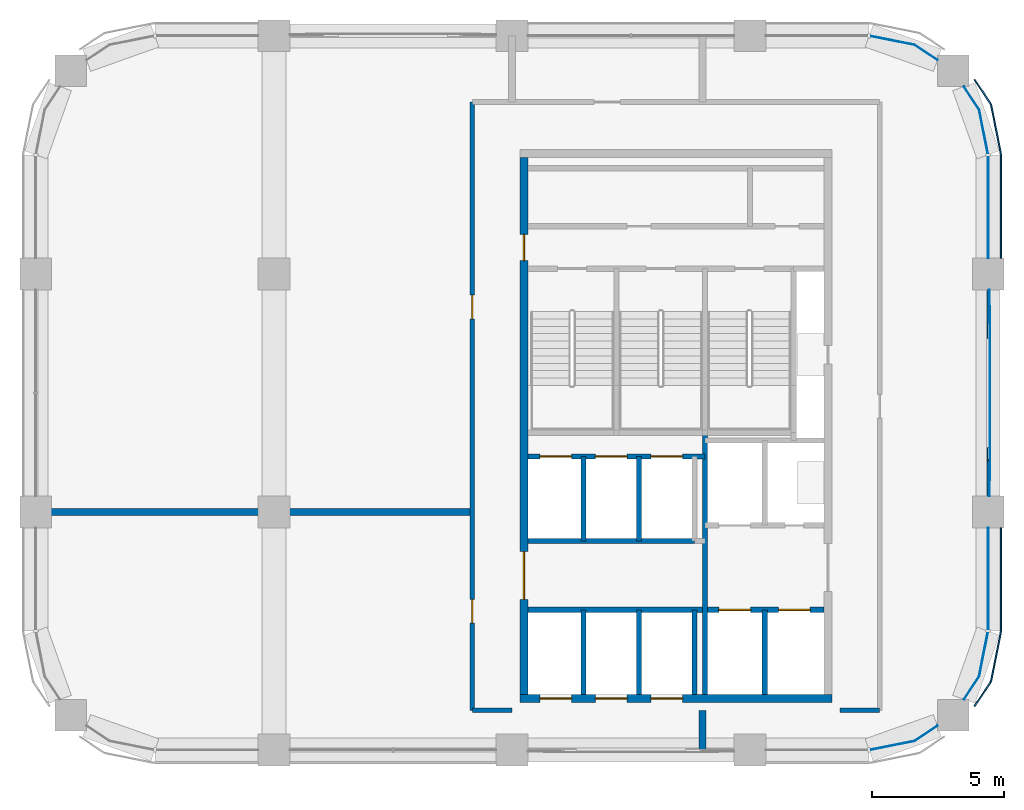
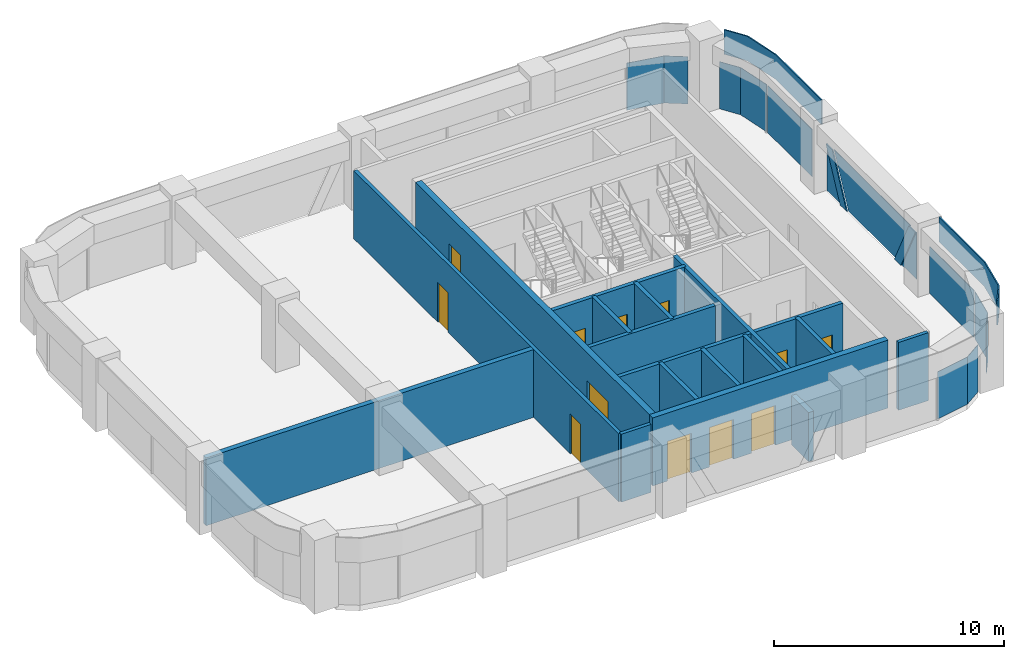
# One storey, part 6 of 9: 17 walls, 13 plates, 12 doors, 12 openings, 5 elements without a shape of their own.
"""IFC4 building model written with IfcOpenShell, lengths in metres."""

from ifc_helpers import new_model, si_unit, direction, frame, frame_2d, origin, origin_2d, place, context, subcontext, project, spatial, polyline, rectangle, outline, extrude, material, layer, layer_set, type_object, element, fill, aggregate, save


model = new_model("IFC4")

# Units and contexts
model_context = context("Model", 3, precision=1e-05, world=origin(), true_north=direction((0.0, 1.0)))
body_context = subcontext(model_context, "Body", "Model", "MODEL_VIEW")
ifc_project = project(units=[si_unit("LENGTHUNIT", "METRE"), si_unit("AREAUNIT", "SQUARE_METRE"), si_unit("VOLUMEUNIT", "CUBIC_METRE"), si_unit("PLANEANGLEUNIT", "RADIAN"), si_unit("MASSUNIT", "GRAM", prefix="KILO")], contexts=[model_context])

# Site, building, storey
site_placement = place(None, origin())
site = spatial("IfcSite", under=ifc_project, at=site_placement, CompositionType="ELEMENT")
building_placement = place(site_placement, origin())
building = spatial("IfcBuilding", under=site, at=building_placement, Name="Tessera Arch", CompositionType="ELEMENT")
storey_placement = place(building_placement, frame((0.0, 0.0, 312.89990234375)))
storey = spatial("IfcBuildingStorey", under=building, at=storey_placement, Name="L75", CompositionType="ELEMENT", Elevation=312.89990234375)

# Curtain wall, plates
ifc_material_1 = material(Name="CW2 curtain wall")
curtain_wall_type_1 = type_object("IfcCurtainWallType", Name="CW2 curtain wall", PredefinedType="NOTDEFINED", material=ifc_material_1)
curtain_wall_1_placement = place(storey_placement, origin())
curtain_wall_1 = element("IfcCurtainWall", 1, at=curtain_wall_1_placement, inside=storey, type_object=curtain_wall_type_1, Name="CW2 curtain wall E54.27/1 L75", PredefinedType="NOTDEFINED")
ifc_material_2 = material(Name="Clear low-e glass", Category="glass")
ifc_material_3 = material(Name="Clear low-e glass", Category="glass")
ifc_layer_1 = layer(ifc_material_3, 0.028076171875)
ifc_layer_set_1 = layer_set([ifc_layer_1], Name="CW2 glass panel")
plate_type_1 = type_object("IfcPlateType", Name="CW2 glass panel", PredefinedType="CURTAIN_PANEL", material=ifc_layer_set_1)
plate_1_placement = place(storey_placement, frame((54.0, 47.530029296875, 0.0), z_axis=(0.0, 0.0, 1.0), x_axis=(0.0, 1.0, 0.0)))
plate_1 = element("IfcPlate", 2, at=plate_1_placement, type_object=plate_type_1, material=ifc_material_2, Name="CW2 glass panel E54.27/1 1.1", PredefinedType="CURTAIN_PANEL", context=body_context, shape_type="SweptSolid", body=[
    extrude(rectangle(XDim=3.860107421875, YDim=0.028076171875, at=origin_2d()), origin(), (0.0, 0.0, 1.0), 2.5),
])
plate_2_placement = place(storey_placement, origin())
plate_2 = element("IfcPlate", 3, at=plate_2_placement, type_object=plate_type_1, material=ifc_material_2, Name="CW2 curved glass panel E54.27/1 2.1", PredefinedType="CURTAIN_PANEL", context=body_context, shape_type="SweptSolid", body=[
    extrude(outline(polyline([(53.644287109375, 51.216552734375), (53.978515625, 49.53662109375), (54.005859375, 49.5419921875), (53.670654296875, 51.2275390625), (53.094482421875, 52.08984375), (53.0712890625, 52.07421875), (53.644287109375, 51.216552734375)])), origin(), (0.0, 0.0, 1.0), 2.5),
])

# Curtain wall, plate
curtain_wall_2_placement = place(storey_placement, origin())
curtain_wall_2 = element("IfcCurtainWall", 4, at=curtain_wall_2_placement, inside=storey, type_object=curtain_wall_type_1, Name="CW2 curtain wall N54.18/0 L75", PredefinedType="NOTDEFINED")
plate_3_placement = place(storey_placement, origin())
plate_3 = element("IfcPlate", 5, at=plate_3_placement, type_object=plate_type_1, material=ifc_material_2, Name="CW2 curved glass panel N54.18/0 2.1", PredefinedType="CURTAIN_PANEL", context=body_context, shape_type="SweptSolid", body=[
    extrude(outline(polyline([(51.216552734375, 53.644287109375), (52.07421875, 53.0712890625), (52.08984375, 53.094482421875), (51.2275390625, 53.670654296875), (49.5419921875, 54.005859375), (49.53662109375, 53.978515625), (51.216552734375, 53.644287109375)])), origin(), (0.0, 0.0, 1.0), 2.5),
])
aggregate(curtain_wall_2, [plate_3])

curtain_wall_3_placement = place(storey_placement, origin())
curtain_wall_3 = element("IfcCurtainWall", 6, at=curtain_wall_3_placement, inside=storey, type_object=curtain_wall_type_1, Name="CW2 curtain wall S27.18/3 L75", PredefinedType="NOTDEFINED")
plate_4_placement = place(storey_placement, origin())
plate_4 = element("IfcPlate", 7, at=plate_4_placement, type_object=plate_type_1, material=ifc_material_2, Name="CW2 curved glass panel S27.18/3 2.1", PredefinedType="CURTAIN_PANEL", context=body_context, shape_type="SweptSolid", body=[
    extrude(outline(polyline([(51.216552734375, 27.355712890625), (49.53662109375, 27.021484375), (49.5419921875, 26.994140625), (51.2275390625, 27.329345703125), (52.08984375, 27.905517578125), (52.07421875, 27.9287109375), (51.216552734375, 27.355712890625)])), origin(), (0.0, 0.0, 1.0), 2.5),
])
aggregate(curtain_wall_3, [plate_4])

# Curtain wall, plates
curtain_wall_4_placement = place(storey_placement, origin())
curtain_wall_4 = element("IfcCurtainWall", 8, at=curtain_wall_4_placement, inside=storey, type_object=curtain_wall_type_1, Name="CW2 curtain wall E54.27/2 L75", PredefinedType="NOTDEFINED")
plate_5_placement = place(storey_placement, frame((54.0, 33.469970703125, 0.0), z_axis=(0.0, 0.0, 1.0), x_axis=(0.0, 1.0, 0.0)))
plate_5 = element("IfcPlate", 9, at=plate_5_placement, type_object=plate_type_1, material=ifc_material_2, Name="CW2 glass panel E54.27/2 1.1", PredefinedType="CURTAIN_PANEL", context=body_context, shape_type="SweptSolid", body=[
    extrude(rectangle(XDim=3.860107421875, YDim=0.028076171875, at=origin_2d()), origin(), (0.0, 0.0, 1.0), 2.5),
])
plate_6_placement = place(storey_placement, origin())
plate_6 = element("IfcPlate", 10, at=plate_6_placement, type_object=plate_type_1, material=ifc_material_2, Name="CW2 curved glass panel E54.27/2 2.1", PredefinedType="CURTAIN_PANEL", context=body_context, shape_type="SweptSolid", body=[
    extrude(outline(polyline([(53.644287109375, 29.783447265625), (53.0712890625, 28.92578125), (53.094482421875, 28.91015625), (53.670654296875, 29.7724609375), (54.005859375, 31.4580078125), (53.978515625, 31.46337890625), (53.644287109375, 29.783447265625)])), origin(), (0.0, 0.0, 1.0), 2.5),
])

# Plate
ifc_material_4 = material(Name="Pale anodised aluminium panel", Category="aluminium")
ifc_layer_2 = layer(ifc_material_4, 0.06005859375)
ifc_layer_set_2 = layer_set([ifc_layer_2], Name="CW2 spandrel panel")
plate_type_2 = type_object("IfcPlateType", Name="CW2 spandrel panel", PredefinedType="CURTAIN_PANEL", material=ifc_layer_set_2)
plate_7_placement = place(storey_placement, frame((0.0, 0.0, 2.60009765625)))
plate_7 = element("IfcPlate", 11, at=plate_7_placement, type_object=plate_type_2, Name="CW2 spandrel panel E54.27/1", PredefinedType="CURTAIN_PANEL", context=body_context, shape_type="SweptSolid", body=[
    extrude(outline(polyline([(54.449951171875, 49.499267578125), (54.449951171875, 45.60009765625), (54.510009765625, 45.60009765625), (54.510009765625, 49.500732421875), (54.507568359375, 49.550048828125), (54.500244140625, 49.598876953125), (54.157470703125, 51.322265625), (54.1455078125, 51.3701171875), (54.128662109375, 51.417236328125), (54.107421875, 51.462646484375), (54.08203125, 51.5048828125), (53.5068359375, 52.365234375), (53.45703125, 52.33203125), (54.03125, 51.47265625), (54.054443359375, 51.434326171875), (54.0732421875, 51.394287109375), (54.088134765625, 51.352783203125), (54.09912109375, 51.30908203125), (54.441162109375, 49.588623046875), (54.44775390625, 49.544189453125), (54.449951171875, 49.499267578125)])), origin(), (0.0, 0.0, 1.0), 1.300048828125),
])

aggregate(curtain_wall_1, [plate_1, plate_2, plate_7])

plate_8_placement = place(storey_placement, frame((0.0, 0.0, 2.60009765625)))
plate_8 = element("IfcPlate", 12, at=plate_8_placement, type_object=plate_type_2, Name="CW2 spandrel panel E54.27/2", PredefinedType="CURTAIN_PANEL", context=body_context, shape_type="SweptSolid", body=[
    extrude(outline(polyline([(54.03125, 29.52734375), (53.45703125, 28.66796875), (53.5068359375, 28.634765625), (54.08203125, 29.4951171875), (54.107421875, 29.537353515625), (54.128662109375, 29.582763671875), (54.1455078125, 29.6298828125), (54.157470703125, 29.677734375), (54.500244140625, 31.401123046875), (54.507568359375, 31.449951171875), (54.510009765625, 31.499267578125), (54.510009765625, 35.39990234375), (54.449951171875, 35.39990234375), (54.449951171875, 31.500732421875), (54.44775390625, 31.455810546875), (54.441162109375, 31.411376953125), (54.09912109375, 29.69091796875), (54.088134765625, 29.647216796875), (54.0732421875, 29.605712890625), (54.054443359375, 29.565673828125), (54.03125, 29.52734375)])), origin(), (0.0, 0.0, 1.0), 1.300048828125),
])

aggregate(curtain_wall_4, [plate_5, plate_6, plate_8])

# Curtain wall, plates
ifc_material_5 = material(Name="CW3 curtain wall")
curtain_wall_type_2 = type_object("IfcCurtainWallType", Name="CW3 curtain wall", PredefinedType="NOTDEFINED", material=ifc_material_5)
curtain_wall_5_placement = place(storey_placement, origin())
curtain_wall_5 = element("IfcCurtainWall", 13, at=curtain_wall_5_placement, inside=storey, type_object=curtain_wall_type_2, Name="CW3 curtain wall E54.27/0 L75", PredefinedType="NOTDEFINED")
ifc_material_6 = material(Name="Pale anodised aluminium panel", Category="aluminium")
ifc_layer_3 = layer(ifc_material_6, 0.06005859375)
ifc_layer_set_3 = layer_set([ifc_layer_3], Name="CW3 diagonal panel")
plate_type_3 = type_object("IfcPlateType", Name="CW3 diagonal panel", PredefinedType="CURTAIN_PANEL", material=ifc_layer_set_3)
plate_9_placement = place(storey_placement, frame((54.030029296875, 44.38232421875, 2.5), z_axis=(1.0, 0.0, 0.0), x_axis=(0.0, -1.0, 0.0)))
plate_9 = element("IfcPlate", 14, at=plate_9_placement, type_object=plate_type_3, Name="CW3 diagonal panel E54.27/0 1", PredefinedType="CURTAIN_PANEL", context=body_context, shape_type="SweptSolid", body=[
    extrude(outline(polyline([(0.0, 0.0), (0.564697265625, 0.0), (1.814697265625, 2.5), (1.25, 2.5), (0.0, 0.0)])), origin(), (0.0, 0.0, -1.0), 0.06005859375),
])
plate_10_placement = place(storey_placement, frame((54.030029296875, 37.182373046875, 2.5), z_axis=(1.0, 0.0, 0.0), x_axis=(0.0, -1.0, 0.0)))
plate_10 = element("IfcPlate", 15, at=plate_10_placement, type_object=plate_type_3, Name="CW3 diagonal panel E54.27/0 2", PredefinedType="CURTAIN_PANEL", context=body_context, shape_type="SweptSolid", body=[
    extrude(outline(polyline([(0.0, 0.0), (0.564697265625, 0.0), (-0.685302734375, 2.5), (-1.25, 2.5), (0.0, 0.0)])), origin(), (0.0, 0.0, -1.0), 0.06005859375),
])
ifc_material_7 = material(Name="Clear low-e glass", Category="glass")
ifc_layer_4 = layer(ifc_material_7, 0.028076171875)
ifc_layer_set_4 = layer_set([ifc_layer_4], Name="CW3 glass panel")
plate_type_4 = type_object("IfcPlateType", Name="CW3 glass panel", PredefinedType="CURTAIN_PANEL", material=ifc_layer_set_4)
plate_11_placement = place(storey_placement, frame((54.05810546875, 36.60009765625, 0.0), z_axis=(1.0, 0.0, 0.0), x_axis=(0.0, 1.0, 0.0)))
plate_11 = element("IfcPlate", 16, at=plate_11_placement, type_object=plate_type_4, material=ifc_material_2, Name="CW3 triangulated glass panel E54.27/0 1", PredefinedType="CURTAIN_PANEL", context=body_context, shape_type="SweptSolid", body=[
    extrude(outline(polyline([(0.0, 0.0), (1.267578125, 0.0), (0.017578125, 2.5), (0.0, 2.5), (0.0, 0.0)])), origin(), (0.0, 0.0, -1.0), 0.028076171875),
])
plate_12_placement = place(storey_placement, frame((54.0859375, 43.817626953125, 2.5), z_axis=(1.0, 0.0, 0.0), x_axis=(0.0, -1.0, 0.0)))
plate_12 = element("IfcPlate", 17, at=plate_12_placement, type_object=plate_type_4, material=ifc_material_2, Name="CW3 triangulated glass panel E54.27/0 2", PredefinedType="CURTAIN_PANEL", context=body_context, shape_type="SweptSolid", body=[
    extrude(outline(polyline([(0.0, 0.0), (6.63525390625, 0.0), (5.38525390625, 2.5), (1.25, 2.5), (0.0, 0.0)])), origin(), (0.0, 0.0, -1.0), 0.028076171875),
])
plate_13_placement = place(storey_placement, frame((54.05810546875, 44.39990234375, 2.5), z_axis=(1.0, 0.0, 0.0), x_axis=(0.0, -1.0, 0.0)))
plate_13 = element("IfcPlate", 18, at=plate_13_placement, type_object=plate_type_4, material=ifc_material_2, Name="CW3 triangulated glass panel E54.27/0 3", PredefinedType="CURTAIN_PANEL", context=body_context, shape_type="SweptSolid", body=[
    extrude(outline(polyline([(0.0, 0.0), (0.017578125, 0.0), (1.267578125, 2.5), (0.0, 2.5), (0.0, 0.0)])), origin(), (0.0, 0.0, -1.0), 0.028076171875),
])
aggregate(curtain_wall_5, [plate_11, plate_12, plate_13, plate_9, plate_10])

# Wall, openings, doors
ifc_material_8 = material(Name="Concrete C50/60", Category="concrete")
ifc_layer_5 = layer(ifc_material_8, 0.300048828125)
ifc_layer_set_5 = layer_set([ifc_layer_5], Name="Core shell wall 300 C50-60")
wall_type_1 = type_object("IfcWallType", Name="Core shell wall 300 C50-60", PredefinedType="SHEAR", material=ifc_layer_set_5)
wall_1_placement = place(storey_placement, frame((36.300048828125, 28.949951171875, 0.0), z_axis=(0.0, 0.0, 1.0), x_axis=(1.0, 0.0, 0.0)))
wall_1 = element("IfcWall", 19, at=wall_1_placement, inside=storey, type_object=wall_type_1, Name="L75 C1 core wall S", PredefinedType="SHEAR", context=body_context, shape_type="SweptSolid", body=[
    extrude(rectangle(XDim=11.800048828125, YDim=0.300048828125, at=frame_2d((5.89990234375, 0.0))), origin(), (0.0, 0.0, 1.0), 3.60009765625),
])
opening_1_placement = place(wall_1_placement, frame((0.75, 0.0, 0.0)))
opening_1 = element("IfcOpeningElement", 20, at=opening_1_placement, cuts=wall_1, Name="Opening L75-C01", PredefinedType="OPENING", context=body_context, shape_type="SweptSolid", body=[
    extrude(rectangle(XDim=1.199951171875, YDim=2.10009765625, at=frame_2d((0.60009765625, 1.050048828125))), frame((0.0, 0.159912109375, 0.0), z_axis=(0.0, -1.0, 0.0), x_axis=(1.0, 0.0, 0.0)), (0.0, 0.0, 1.0), 0.320068359375),
])
opening_2_placement = place(wall_1_placement, frame((2.85009765625, 0.0, 0.0)))
opening_2 = element("IfcOpeningElement", 21, at=opening_2_placement, cuts=wall_1, Name="Opening L75-C03", PredefinedType="OPENING", context=body_context, shape_type="SweptSolid", body=[
    extrude(rectangle(XDim=1.199951171875, YDim=2.10009765625, at=frame_2d((0.60009765625, 1.050048828125))), frame((0.0, 0.159912109375, 0.0), z_axis=(0.0, -1.0, 0.0), x_axis=(1.0, 0.0, 0.0)), (0.0, 0.0, 1.0), 0.320068359375),
])
opening_3_placement = place(wall_1_placement, frame((4.949951171875, 0.0, 0.0)))
opening_3 = element("IfcOpeningElement", 22, at=opening_3_placement, cuts=wall_1, Name="Opening L75-C05", PredefinedType="OPENING", context=body_context, shape_type="SweptSolid", body=[
    extrude(rectangle(XDim=1.199951171875, YDim=2.10009765625, at=frame_2d((0.60009765625, 1.050048828125))), frame((0.0, 0.159912109375, 0.0), z_axis=(0.0, -1.0, 0.0), x_axis=(1.0, 0.0, 0.0)), (0.0, 0.0, 1.0), 0.320068359375),
])
ifc_material_9 = material(Name="Stainless steel AISI 304", Category="steel")
door_type_1 = type_object("IfcDoorType", Name="Sliding landing door 1200 x 2100", OperationType="SLIDING_TO_LEFT", PredefinedType="DOOR", material=ifc_material_9)
door_1_placement = place(opening_1_placement, origin())
door_1 = element("IfcDoor", 23, at=door_1_placement, inside=storey, type_object=door_type_1, Name="L75 HR1 lift landing door C01 type LD", OperationType="SLIDING_TO_LEFT", OverallHeight=2.10009765625, OverallWidth=1.199951171875, PredefinedType="DOOR", context=body_context, shape_type="SweptSolid", body=[
    extrude(rectangle(XDim=1.199951171875, YDim=2.10009765625, at=frame_2d((0.60009765625, 1.050048828125))), frame((0.0, 0.02490234375, 0.0), z_axis=(0.0, -1.0, 0.0), x_axis=(1.0, 0.0, 0.0)), (0.0, 0.0, 1.0), 0.050048828125),
])
fill(opening_1, door_1)
door_2_placement = place(opening_2_placement, origin())
door_2 = element("IfcDoor", 24, at=door_2_placement, inside=storey, type_object=door_type_1, Name="L75 HR2 lift landing door C03 type LD", OperationType="SLIDING_TO_LEFT", OverallHeight=2.10009765625, OverallWidth=1.199951171875, PredefinedType="DOOR", context=body_context, shape_type="SweptSolid", body=[
    extrude(rectangle(XDim=1.199951171875, YDim=2.10009765625, at=frame_2d((0.60009765625, 1.050048828125))), frame((0.0, 0.02490234375, 0.0), z_axis=(0.0, -1.0, 0.0), x_axis=(1.0, 0.0, 0.0)), (0.0, 0.0, 1.0), 0.050048828125),
])
fill(opening_2, door_2)
door_3_placement = place(opening_3_placement, origin())
door_3 = element("IfcDoor", 25, at=door_3_placement, inside=storey, type_object=door_type_1, Name="L75 HR3 lift landing door C05 type LD", OperationType="SLIDING_TO_LEFT", OverallHeight=2.10009765625, OverallWidth=1.199951171875, PredefinedType="DOOR", context=body_context, shape_type="SweptSolid", body=[
    extrude(rectangle(XDim=1.199951171875, YDim=2.10009765625, at=frame_2d((0.60009765625, 1.050048828125))), frame((0.0, 0.02490234375, 0.0), z_axis=(0.0, -1.0, 0.0), x_axis=(1.0, 0.0, 0.0)), (0.0, 0.0, 1.0), 0.050048828125),
])
fill(opening_3, door_3)

wall_2_placement = place(storey_placement, frame((36.449951171875, 29.10009765625, 0.0), z_axis=(0.0, 0.0, 1.0), x_axis=(0.0, 1.0, 0.0)))
wall_2 = element("IfcWall", 26, at=wall_2_placement, inside=storey, type_object=wall_type_1, Name="L75 C1 core wall W", PredefinedType="SHEAR", context=body_context, shape_type="SweptSolid", body=[
    extrude(rectangle(XDim=20.2998046875, YDim=0.300048828125, at=frame_2d((10.14990234375, 0.0))), origin(), (0.0, 0.0, 1.0), 3.60009765625),
])
opening_4_placement = place(wall_2_placement, frame((3.60009765625, 0.0, 0.0)))
opening_4 = element("IfcOpeningElement", 27, at=opening_4_placement, cuts=wall_2, Name="Opening L75-C10", PredefinedType="OPENING", context=body_context, shape_type="SweptSolid", body=[
    extrude(rectangle(XDim=1.800048828125, YDim=2.10009765625, at=frame_2d((0.89990234375, 1.050048828125))), frame((0.0, 0.159912109375, 0.0), z_axis=(0.0, -1.0, 0.0), x_axis=(1.0, 0.0, 0.0)), (0.0, 0.0, 1.0), 0.320068359375),
])
opening_5_placement = place(wall_2_placement, frame((16.39990234375, 0.0, 0.0)))
opening_5 = element("IfcOpeningElement", 28, at=opening_5_placement, cuts=wall_2, Name="Opening L75-C17", PredefinedType="OPENING", context=body_context, shape_type="SweptSolid", body=[
    extrude(rectangle(XDim=1.0, YDim=2.10009765625, at=frame_2d((0.5, 1.050048828125))), frame((0.0, 0.159912109375, 0.0), z_axis=(0.0, -1.0, 0.0), x_axis=(1.0, 0.0, 0.0)), (0.0, 0.0, 1.0), 0.320068359375),
])
ifc_material_10 = material(Name="Steel door leaf", Category="steel")
door_type_2 = type_object("IfcDoorType", Name="Corridor door FD60 1000 x 2100", OperationType="SINGLE_SWING_LEFT", PredefinedType="DOOR", material=ifc_material_10)
door_4_placement = place(opening_5_placement, origin())
door_4 = element("IfcDoor", 29, at=door_4_placement, inside=storey, type_object=door_type_2, Name="L75 C1 door 17 C17 type D12", OperationType="SINGLE_SWING_RIGHT", OverallHeight=2.10009765625, OverallWidth=1.0, PredefinedType="DOOR", context=body_context, shape_type="SweptSolid", body=[
    extrude(rectangle(XDim=1.0, YDim=2.10009765625, at=frame_2d((0.5, 1.050048828125))), frame((0.0, 0.02490234375, 0.0), z_axis=(0.0, -1.0, 0.0), x_axis=(1.0, 0.0, 0.0)), (0.0, 0.0, 1.0), 0.050048828125),
])
fill(opening_5, door_4)
ifc_material_11 = material(Name="Glazed steel door leaf", Category="steel")
door_type_3 = type_object("IfcDoorType", Name="Lobby double door FD30S 1800 x 2100", OperationType="DOUBLE_DOOR_SINGLE_SWING", PredefinedType="DOOR", material=ifc_material_11)
door_5_placement = place(opening_4_placement, origin())
door_5 = element("IfcDoor", 30, at=door_5_placement, inside=storey, type_object=door_type_3, Name="L75 C1 door 10 C10 type D06", OperationType="DOUBLE_DOOR_SINGLE_SWING", OverallHeight=2.10009765625, OverallWidth=1.800048828125, PredefinedType="DOOR", context=body_context, shape_type="SweptSolid", body=[
    extrude(rectangle(XDim=1.800048828125, YDim=2.10009765625, at=frame_2d((0.89990234375, 1.050048828125))), frame((0.0, 0.02490234375, 0.0), z_axis=(0.0, -1.0, 0.0), x_axis=(1.0, 0.0, 0.0)), (0.0, 0.0, 1.0), 0.050048828125),
])
fill(opening_4, door_5)

# Walls
ifc_material_12 = material(Name="Gypsum board on deep steel stud with mineral wool", Category="steel")
ifc_layer_6 = layer(ifc_material_12, 0.175048828125)
ifc_layer_set_6 = layer_set([ifc_layer_6], Name="Corridor wall 175 EI 60")
wall_type_2 = type_object("IfcWallType", Name="Corridor wall 175 EI 60", PredefinedType="PARTITIONING", material=ifc_layer_set_6)
for number, where, z_axis, x_axis, name in (
    (31, (34.5, 28.5, 0.0), (0.0, 0.0, 1.0), (1.0, 0.0, 0.0), "L75 partition 1"),
    (32, (48.39990234375, 28.5, 0.0), (0.0, 0.0, 1.0), (1.0, 0.0, 0.0), "L75 partition 2"),
):
    element("IfcWall", number, at=place(storey_placement, frame(where, z_axis=z_axis, x_axis=x_axis)), inside=storey, type_object=wall_type_2, Name=name, PredefinedType="PARTITIONING", context=body_context, shape_type="SweptSolid", body=[
        extrude(rectangle(XDim=1.5, YDim=0.175048828125, at=frame_2d((0.75, 0.0))), origin(), (0.0, 0.0, 1.0), 3.60009765625),
    ])

# Wall, openings, doors
wall_3_placement = place(storey_placement, frame((34.5, 28.5, 0.0), z_axis=(0.0, 0.0, 1.0), x_axis=(0.0, 1.0, 0.0)))
wall_3 = element("IfcWall", 33, at=wall_3_placement, inside=storey, type_object=wall_type_2, Name="L75 partition 4", PredefinedType="PARTITIONING", context=body_context, shape_type="SweptSolid", body=[
    extrude(rectangle(XDim=23.0, YDim=0.175048828125, at=frame_2d((11.5, 0.0))), origin(), (0.0, 0.0, 1.0), 3.60009765625),
])
opening_6_placement = place(wall_3_placement, frame((3.300048828125, 0.0, 0.0)))
opening_6 = element("IfcOpeningElement", 34, at=opening_6_placement, cuts=wall_3, Name="Opening L75-D001", PredefinedType="OPENING", context=body_context, shape_type="SweptSolid", body=[
    extrude(rectangle(XDim=0.89990234375, YDim=2.10009765625, at=frame_2d((0.449951171875, 1.050048828125))), frame((0.0, 0.097412109375, 0.0), z_axis=(0.0, -1.0, 0.0), x_axis=(1.0, 0.0, 0.0)), (0.0, 0.0, 1.0), 0.195068359375),
])
opening_7_placement = place(wall_3_placement, frame((14.800048828125, 0.0, 0.0)))
opening_7 = element("IfcOpeningElement", 35, at=opening_7_placement, cuts=wall_3, Name="Opening L75-D003", PredefinedType="OPENING", context=body_context, shape_type="SweptSolid", body=[
    extrude(rectangle(XDim=0.89990234375, YDim=2.10009765625, at=frame_2d((0.449951171875, 1.050048828125))), frame((0.0, 0.097412109375, 0.0), z_axis=(0.0, -1.0, 0.0), x_axis=(1.0, 0.0, 0.0)), (0.0, 0.0, 1.0), 0.195068359375),
])
ifc_material_13 = material(Name="Timber door leaf", Category="wood")
door_type_4 = type_object("IfcDoorType", Name="Room door 900 x 2100", OperationType="SINGLE_SWING_LEFT", PredefinedType="DOOR", material=ifc_material_13)
door_6_placement = place(opening_6_placement, origin())
door_6 = element("IfcDoor", 36, at=door_6_placement, inside=storey, type_object=door_type_4, Name="L75 door D001 type D01", OperationType="SINGLE_SWING_LEFT", OverallHeight=2.10009765625, OverallWidth=0.89990234375, PredefinedType="DOOR", context=body_context, shape_type="SweptSolid", body=[
    extrude(rectangle(XDim=0.89990234375, YDim=2.10009765625, at=frame_2d((0.449951171875, 1.050048828125))), frame((0.0, 0.02490234375, 0.0), z_axis=(0.0, -1.0, 0.0), x_axis=(1.0, 0.0, 0.0)), (0.0, 0.0, 1.0), 0.050048828125),
])
fill(opening_6, door_6)
door_7_placement = place(opening_7_placement, origin())
door_7 = element("IfcDoor", 37, at=door_7_placement, inside=storey, type_object=door_type_4, Name="L75 door D003 type D01", OperationType="SINGLE_SWING_LEFT", OverallHeight=2.10009765625, OverallWidth=0.89990234375, PredefinedType="DOOR", context=body_context, shape_type="SweptSolid", body=[
    extrude(rectangle(XDim=0.89990234375, YDim=2.10009765625, at=frame_2d((0.449951171875, 1.050048828125))), frame((0.0, 0.02490234375, 0.0), z_axis=(0.0, -1.0, 0.0), x_axis=(1.0, 0.0, 0.0)), (0.0, 0.0, 1.0), 0.050048828125),
])
fill(opening_7, door_7)

# Walls
ifc_material_14 = material(Name="Double gypsum board on twin steel stud with acoustic mineral wool", Category="steel")
ifc_layer_7 = layer(ifc_material_14, 0.25)
ifc_layer_set_7 = layer_set([ifc_layer_7], Name="Party wall 250 EI 60")
wall_type_3 = type_object("IfcWallType", Name="Party wall 250 EI 60", PredefinedType="PARTITIONING", material=ifc_layer_set_7)
wall_4_placement = place(storey_placement, frame((18.0, 36.0, 0.0), z_axis=(0.0, 0.0, 1.0), x_axis=(1.0, 0.0, 0.0)))
element("IfcWall", 38, at=wall_4_placement, inside=storey, type_object=wall_type_3, Name="L75 partition 6", PredefinedType="PARTITIONING", context=body_context, shape_type="SweptSolid", body=[
    extrude(rectangle(XDim=16.5, YDim=0.25, at=frame_2d((8.25, 0.0))), origin(), (0.0, 0.0, 1.0), 3.60009765625),
])
wall_5_placement = place(storey_placement, frame((43.199951171875, 27.0, 0.0), z_axis=(0.0, 0.0, 1.0), x_axis=(0.0, 1.0, 0.0)))
element("IfcWall", 39, at=wall_5_placement, inside=storey, type_object=wall_type_3, Name="L75 partition 8", PredefinedType="PARTITIONING", context=body_context, shape_type="SweptSolid", body=[
    extrude(rectangle(XDim=1.5, YDim=0.25, at=frame_2d((0.75, 0.0))), origin(), (0.0, 0.0, 1.0), 2.60009765625),
])
ifc_material_15 = material(Name="Concrete C40/50", Category="concrete")
ifc_layer_8 = layer(ifc_material_15, 0.199951171875)
ifc_layer_set_8 = layer_set([ifc_layer_8], Name="Shaft wall 200 EI 120")
wall_type_4 = type_object("IfcWallType", Name="Shaft wall 200 EI 120", PredefinedType="SOLIDWALL", material=ifc_layer_set_8)
wall_6_placement = place(storey_placement, frame((38.699951171875, 29.10009765625, 0.0), z_axis=(0.0, 0.0, 1.0), x_axis=(0.0, 1.0, 0.0)))
element("IfcWall", 40, at=wall_6_placement, inside=storey, type_object=wall_type_4, Name="L75 C1 shaft wall 1", PredefinedType="SOLIDWALL", context=body_context, shape_type="SweptSolid", body=[
    extrude(rectangle(XDim=3.199951171875, YDim=0.199951171875, at=frame_2d((1.60009765625, 0.0))), origin(), (0.0, 0.0, 1.0), 3.60009765625),
])
wall_7_placement = place(storey_placement, frame((38.699951171875, 34.89990234375, 0.0), z_axis=(0.0, 0.0, 1.0), x_axis=(0.0, 1.0, 0.0)))
element("IfcWall", 41, at=wall_7_placement, inside=storey, type_object=wall_type_4, Name="L75 C1 shaft wall 2", PredefinedType="SOLIDWALL", context=body_context, shape_type="SweptSolid", body=[
    extrude(rectangle(XDim=3.2001953125, YDim=0.199951171875, at=frame_2d((1.60009765625, 0.0))), origin(), (0.0, 0.0, 1.0), 3.60009765625),
])
wall_8_placement = place(storey_placement, frame((40.800048828125, 29.10009765625, 0.0), z_axis=(0.0, 0.0, 1.0), x_axis=(0.0, 1.0, 0.0)))
element("IfcWall", 42, at=wall_8_placement, inside=storey, type_object=wall_type_4, Name="L75 C1 shaft wall 5", PredefinedType="SOLIDWALL", context=body_context, shape_type="SweptSolid", body=[
    extrude(rectangle(XDim=3.199951171875, YDim=0.199951171875, at=frame_2d((1.60009765625, 0.0))), origin(), (0.0, 0.0, 1.0), 3.60009765625),
])
wall_9_placement = place(storey_placement, frame((40.800048828125, 34.89990234375, 0.0), z_axis=(0.0, 0.0, 1.0), x_axis=(0.0, 1.0, 0.0)))
element("IfcWall", 43, at=wall_9_placement, inside=storey, type_object=wall_type_4, Name="L75 C1 shaft wall 6", PredefinedType="SOLIDWALL", context=body_context, shape_type="SweptSolid", body=[
    extrude(rectangle(XDim=3.2001953125, YDim=0.199951171875, at=frame_2d((1.60009765625, 0.0))), origin(), (0.0, 0.0, 1.0), 3.60009765625),
])
wall_10_placement = place(storey_placement, frame((42.89990234375, 29.10009765625, 0.0), z_axis=(0.0, 0.0, 1.0), x_axis=(0.0, 1.0, 0.0)))
element("IfcWall", 44, at=wall_10_placement, inside=storey, type_object=wall_type_4, Name="L75 C1 shaft wall 7", PredefinedType="SOLIDWALL", context=body_context, shape_type="SweptSolid", body=[
    extrude(rectangle(XDim=3.199951171875, YDim=0.199951171875, at=frame_2d((1.60009765625, 0.0))), origin(), (0.0, 0.0, 1.0), 3.60009765625),
])
wall_11_placement = place(storey_placement, frame((43.300048828125, 29.10009765625, 0.0), z_axis=(0.0, 0.0, 1.0), x_axis=(0.0, 1.0, 0.0)))
element("IfcWall", 45, at=wall_11_placement, inside=storey, type_object=wall_type_4, Name="L75 C1 shaft wall 9", PredefinedType="SOLIDWALL", context=body_context, shape_type="SweptSolid", body=[
    extrude(rectangle(XDim=9.89990234375, YDim=0.199951171875, at=frame_2d((4.949951171875, 0.0))), origin(), (0.0, 0.0, 1.0), 3.60009765625),
])
wall_12_placement = place(storey_placement, frame((45.550048828125, 29.10009765625, 0.0), z_axis=(0.0, 0.0, 1.0), x_axis=(0.0, 1.0, 0.0)))
element("IfcWall", 46, at=wall_12_placement, inside=storey, type_object=wall_type_4, Name="L75 C1 shaft wall 13", PredefinedType="SOLIDWALL", context=body_context, shape_type="SweptSolid", body=[
    extrude(rectangle(XDim=3.199951171875, YDim=0.199951171875, at=frame_2d((1.60009765625, 0.0))), origin(), (0.0, 0.0, 1.0), 3.60009765625),
])

# Wall, openings, doors
wall_13_placement = place(storey_placement, frame((36.60009765625, 32.300048828125, 0.0), z_axis=(0.0, 0.0, 1.0), x_axis=(1.0, 0.0, 0.0)))
wall_13 = element("IfcWall", 47, at=wall_13_placement, inside=storey, type_object=wall_type_4, Name="L75 C1 shaft wall 18", PredefinedType="SOLIDWALL", context=body_context, shape_type="SweptSolid", body=[
    extrude(rectangle(XDim=11.199951171875, YDim=0.199951171875, at=frame_2d((5.60009765625, 0.0))), origin(), (0.0, 0.0, 1.0), 3.60009765625),
])
opening_8_placement = place(wall_13_placement, frame((7.22509765625, 0.0, 0.0)))
opening_8 = element("IfcOpeningElement", 48, at=opening_8_placement, cuts=wall_13, Name="Opening L75-C07", PredefinedType="OPENING", context=body_context, shape_type="SweptSolid", body=[
    extrude(rectangle(XDim=1.199951171875, YDim=2.10009765625, at=frame_2d((0.60009765625, 1.050048828125))), frame((0.0, 0.10986328125, 0.0), z_axis=(0.0, -1.0, 0.0), x_axis=(1.0, 0.0, 0.0)), (0.0, 0.0, 1.0), 0.219970703125),
])
opening_9_placement = place(wall_13_placement, frame((9.47509765625, 0.0, 0.0)))
opening_9 = element("IfcOpeningElement", 49, at=opening_9_placement, cuts=wall_13, Name="Opening L75-C08", PredefinedType="OPENING", context=body_context, shape_type="SweptSolid", body=[
    extrude(rectangle(XDim=1.199951171875, YDim=2.10009765625, at=frame_2d((0.60009765625, 1.050048828125))), frame((0.0, 0.10986328125, 0.0), z_axis=(0.0, -1.0, 0.0), x_axis=(1.0, 0.0, 0.0)), (0.0, 0.0, 1.0), 0.219970703125),
])
door_8_placement = place(opening_8_placement, origin())
door_8 = element("IfcDoor", 50, at=door_8_placement, inside=storey, type_object=door_type_1, Name="L75 FF1 lift landing door C07 type LD", OperationType="SLIDING_TO_LEFT", OverallHeight=2.10009765625, OverallWidth=1.199951171875, PredefinedType="DOOR", context=body_context, shape_type="SweptSolid", body=[
    extrude(rectangle(XDim=1.199951171875, YDim=2.10009765625, at=frame_2d((0.60009765625, 1.050048828125))), frame((0.0, 0.02490234375, 0.0), z_axis=(0.0, -1.0, 0.0), x_axis=(1.0, 0.0, 0.0)), (0.0, 0.0, 1.0), 0.050048828125),
])
fill(opening_8, door_8)
door_9_placement = place(opening_9_placement, origin())
door_9 = element("IfcDoor", 51, at=door_9_placement, inside=storey, type_object=door_type_1, Name="L75 FF2 lift landing door C08 type LD", OperationType="SLIDING_TO_LEFT", OverallHeight=2.10009765625, OverallWidth=1.199951171875, PredefinedType="DOOR", context=body_context, shape_type="SweptSolid", body=[
    extrude(rectangle(XDim=1.199951171875, YDim=2.10009765625, at=frame_2d((0.60009765625, 1.050048828125))), frame((0.0, 0.02490234375, 0.0), z_axis=(0.0, -1.0, 0.0), x_axis=(1.0, 0.0, 0.0)), (0.0, 0.0, 1.0), 0.050048828125),
])
fill(opening_9, door_9)

# Wall
wall_14_placement = place(storey_placement, frame((36.60009765625, 34.89990234375, 0.0), z_axis=(0.0, 0.0, 1.0), x_axis=(1.0, 0.0, 0.0)))
element("IfcWall", 52, at=wall_14_placement, inside=storey, type_object=wall_type_4, Name="L75 C1 shaft wall 20", PredefinedType="SOLIDWALL", context=body_context, shape_type="SweptSolid", body=[
    extrude(rectangle(XDim=6.2998046875, YDim=0.199951171875, at=frame_2d((3.14990234375, 0.0))), origin(), (0.0, 0.0, 1.0), 3.60009765625),
])

# Wall, openings, doors
wall_15_placement = place(storey_placement, frame((36.60009765625, 38.10009765625, 0.0), z_axis=(0.0, 0.0, 1.0), x_axis=(1.0, 0.0, 0.0)))
wall_15 = element("IfcWall", 53, at=wall_15_placement, inside=storey, type_object=wall_type_4, Name="L75 C1 shaft wall 22", PredefinedType="SOLIDWALL", context=body_context, shape_type="SweptSolid", body=[
    extrude(rectangle(XDim=6.699951171875, YDim=0.199951171875, at=frame_2d((3.35009765625, 0.0))), origin(), (0.0, 0.0, 1.0), 3.60009765625),
])
opening_10_placement = place(wall_15_placement, frame((0.449951171875, 0.0, 0.0)))
opening_10 = element("IfcOpeningElement", 54, at=opening_10_placement, cuts=wall_15, Name="Opening L75-C02", PredefinedType="OPENING", context=body_context, shape_type="SweptSolid", body=[
    extrude(rectangle(XDim=1.199951171875, YDim=2.10009765625, at=frame_2d((0.60009765625, 1.050048828125))), frame((0.0, 0.10986328125, 0.0), z_axis=(0.0, -1.0, 0.0), x_axis=(1.0, 0.0, 0.0)), (0.0, 0.0, 1.0), 0.219970703125),
])
opening_11_placement = place(wall_15_placement, frame((2.550048828125, 0.0, 0.0)))
opening_11 = element("IfcOpeningElement", 55, at=opening_11_placement, cuts=wall_15, Name="Opening L75-C04", PredefinedType="OPENING", context=body_context, shape_type="SweptSolid", body=[
    extrude(rectangle(XDim=1.199951171875, YDim=2.10009765625, at=frame_2d((0.60009765625, 1.050048828125))), frame((0.0, 0.10986328125, 0.0), z_axis=(0.0, -1.0, 0.0), x_axis=(1.0, 0.0, 0.0)), (0.0, 0.0, 1.0), 0.219970703125),
])
opening_12_placement = place(wall_15_placement, frame((4.64990234375, 0.0, 0.0)))
opening_12 = element("IfcOpeningElement", 56, at=opening_12_placement, cuts=wall_15, Name="Opening L75-C06", PredefinedType="OPENING", context=body_context, shape_type="SweptSolid", body=[
    extrude(rectangle(XDim=1.199951171875, YDim=2.10009765625, at=frame_2d((0.60009765625, 1.050048828125))), frame((0.0, 0.10986328125, 0.0), z_axis=(0.0, -1.0, 0.0), x_axis=(1.0, 0.0, 0.0)), (0.0, 0.0, 1.0), 0.219970703125),
])
door_10_placement = place(opening_10_placement, origin())
door_10 = element("IfcDoor", 57, at=door_10_placement, inside=storey, type_object=door_type_1, Name="L75 HR4 lift landing door C02 type LD", OperationType="SLIDING_TO_LEFT", OverallHeight=2.10009765625, OverallWidth=1.199951171875, PredefinedType="DOOR", context=body_context, shape_type="SweptSolid", body=[
    extrude(rectangle(XDim=1.199951171875, YDim=2.10009765625, at=frame_2d((0.60009765625, 1.050048828125))), frame((0.0, 0.02490234375, 0.0), z_axis=(0.0, -1.0, 0.0), x_axis=(1.0, 0.0, 0.0)), (0.0, 0.0, 1.0), 0.050048828125),
])
fill(opening_10, door_10)
door_11_placement = place(opening_11_placement, origin())
door_11 = element("IfcDoor", 58, at=door_11_placement, inside=storey, type_object=door_type_1, Name="L75 HR5 lift landing door C04 type LD", OperationType="SLIDING_TO_LEFT", OverallHeight=2.10009765625, OverallWidth=1.199951171875, PredefinedType="DOOR", context=body_context, shape_type="SweptSolid", body=[
    extrude(rectangle(XDim=1.199951171875, YDim=2.10009765625, at=frame_2d((0.60009765625, 1.050048828125))), frame((0.0, 0.02490234375, 0.0), z_axis=(0.0, -1.0, 0.0), x_axis=(1.0, 0.0, 0.0)), (0.0, 0.0, 1.0), 0.050048828125),
])
fill(opening_11, door_11)
door_12_placement = place(opening_12_placement, origin())
door_12 = element("IfcDoor", 59, at=door_12_placement, inside=storey, type_object=door_type_1, Name="L75 HR6 lift landing door C06 type LD", OperationType="SLIDING_TO_LEFT", OverallHeight=2.10009765625, OverallWidth=1.199951171875, PredefinedType="DOOR", context=body_context, shape_type="SweptSolid", body=[
    extrude(rectangle(XDim=1.199951171875, YDim=2.10009765625, at=frame_2d((0.60009765625, 1.050048828125))), frame((0.0, 0.02490234375, 0.0), z_axis=(0.0, -1.0, 0.0), x_axis=(1.0, 0.0, 0.0)), (0.0, 0.0, 1.0), 0.050048828125),
])
fill(opening_12, door_12)

save(model, "model.ifc")
